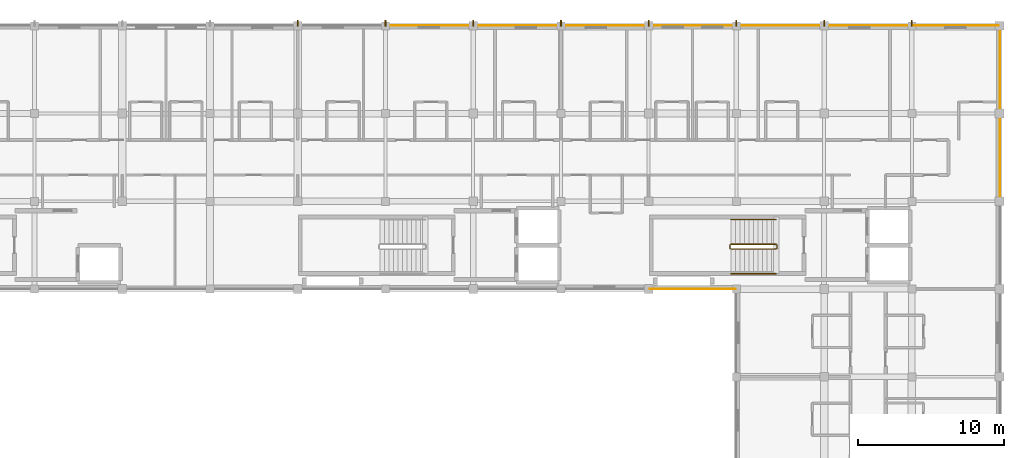
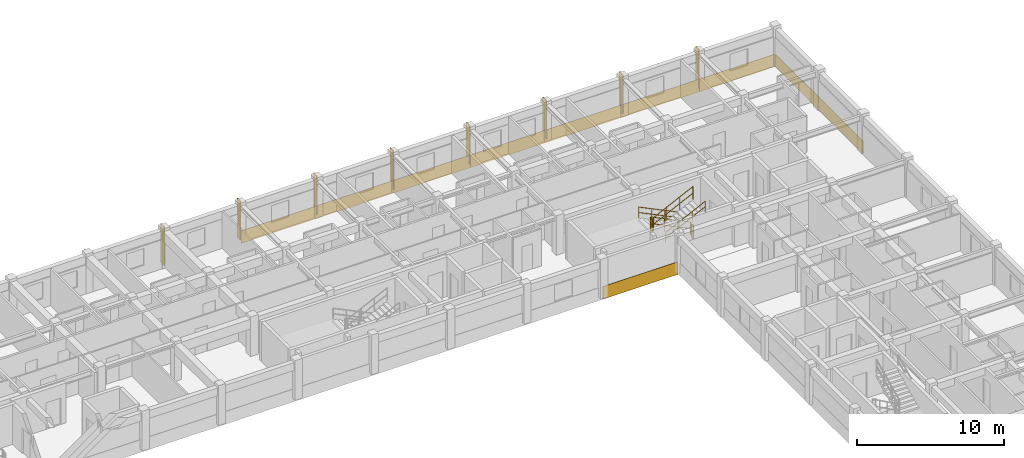
# One storey, part 21 of 21: 8 shading devices, 6 railings, 5 coverings.
"""IFC4 building model written with IfcOpenShell, lengths in metres."""

from ifc_helpers import new_model, si_unit, direction, frame, origin, origin_2d, place, context, subcontext, project, spatial, polyline, rectangle, circle, outline, extrude, material, layer, layer_set, type_object, element, save


model = new_model("IFC4")

# Units and contexts
model_context = context("Model", 3, precision=1e-05, world=origin(), true_north=direction((0.0, 1.0)))
body_context = subcontext(model_context, "Body", "Model", "MODEL_VIEW")
ifc_project = project(units=[si_unit("LENGTHUNIT", "METRE"), si_unit("AREAUNIT", "SQUARE_METRE"), si_unit("VOLUMEUNIT", "CUBIC_METRE"), si_unit("PLANEANGLEUNIT", "RADIAN"), si_unit("MASSUNIT", "GRAM", prefix="KILO"), si_unit("THERMODYNAMICTEMPERATUREUNIT", "KELVIN"), si_unit("POWERUNIT", "WATT")], contexts=[model_context])

# Site, building, storey
site_placement = place(None, origin())
site = spatial("IfcSite", under=ifc_project, at=site_placement, CompositionType="ELEMENT")
building_placement = place(site_placement, origin())
building = spatial("IfcBuilding", under=site, at=building_placement, Name="Phaisarnlok Congress Hotel", CompositionType="ELEMENT")
storey_placement = place(building_placement, frame((0.0, 0.0, 34.800048828125)))
storey = spatial("IfcBuildingStorey", under=building, at=storey_placement, Name="L08", CompositionType="ELEMENT", Elevation=34.800048828125)

# Coverings
ifc_material_1 = material(Name="Anodised Silver Aluminium Alloy 6063-T6", Category="aluminium")
ifc_layer_1 = layer(ifc_material_1, 0.031982421875, Name="Anodised Silver Aluminium Alloy 6063-T6")
ifc_layer_set_1 = layer_set([ifc_layer_1], Name="Anodised Silver Aluminium Alloy 6063-T6")
covering_type = type_object("IfcCoveringType", Name="COV-SPAND-ALU", PredefinedType="CLADDING", material=ifc_layer_set_1)
for number, where, z_axis, x_axis, name in (
    (1, (156.06005859375, 125.9951171875, -0.280029296875), (0.0, 1.0, 0.0), (-1.0, 0.0, 0.0), "Swiss minimalist anodised silver rainscreen band CL-02 (L08 N)"),
    (2, (174.06005859375, 125.9951171875, -0.280029296875), (0.0, 1.0, 0.0), (-1.0, 0.0, 0.0), "Swiss minimalist anodised silver rainscreen band CL-02 (L08 N)"),
):
    element("IfcCovering", number, at=place(storey_placement, frame(where, z_axis=z_axis, x_axis=x_axis)), inside=storey, type_object=covering_type, Name=name, PredefinedType="CLADDING", context=body_context, shape_type="SweptSolid", body=[
        extrude(outline(polyline([(0.0, 0.0), (18.0, 0.0), (18.0, 1.050048828125), (0.0, 1.050048828125), (0.0, 0.0)])), origin(), (0.0, 0.0, 1.0), 0.031982421875),
    ])
covering_1_placement = place(storey_placement, frame((179.93994140625, 125.9951171875, -0.280029296875), z_axis=(0.0, 1.0, 0.0), x_axis=(-1.0, 0.0, 0.0)))
element("IfcCovering", 3, at=covering_1_placement, inside=storey, type_object=covering_type, Name="Swiss minimalist anodised silver rainscreen band CL-02 (L08 N)", PredefinedType="CLADDING", context=body_context, shape_type="SweptSolid", body=[
    extrude(outline(polyline([(0.0, 0.0), (5.8798828125, 0.0), (5.8798828125, 1.050048828125), (0.0, 1.050048828125), (0.0, 0.0)])), origin(), (0.0, 0.0, 1.0), 0.031982421875),
])
covering_2_placement = place(storey_placement, frame((179.9951171875, 114.06005859375, -0.280029296875), z_axis=(1.0, 0.0, 0.0), x_axis=(0.0, 1.0, 0.0)))
element("IfcCovering", 4, at=covering_2_placement, inside=storey, type_object=covering_type, Name="Swiss minimalist anodised silver rainscreen band CL-02 (L08 E)", PredefinedType="CLADDING", context=body_context, shape_type="SweptSolid", body=[
    extrude(outline(polyline([(0.0, 0.0), (11.8798828125, 0.0), (11.8798828125, 1.050048828125), (0.0, 1.050048828125), (0.0, 0.0)])), origin(), (0.0, 0.0, 1.0), 0.031982421875),
])
covering_3_placement = place(storey_placement, frame((156.06005859375, 108.0048828125, -0.280029296875), z_axis=(0.0, -1.0, 0.0), x_axis=(1.0, 0.0, 0.0)))
element("IfcCovering", 5, at=covering_3_placement, inside=storey, type_object=covering_type, Name="Swiss minimalist anodised silver rainscreen band CL-02 (L08 S)", PredefinedType="CLADDING", context=body_context, shape_type="SweptSolid", body=[
    extrude(outline(polyline([(0.0, 0.0), (5.8798828125, 0.0), (5.8798828125, 1.050048828125), (0.0, 1.050048828125), (0.0, 0.0)])), origin(), (0.0, 0.0, 1.0), 0.031982421875),
])

# Railings
ifc_material_2 = material(Name="Painted Galvanised Steel S275", Category="steel")
railing_type_1 = type_object("IfcRailingType", Name="RLG-STR-GUARD", PredefinedType="BALUSTRADE", material=ifc_material_2)
railing_1_placement = place(storey_placement, frame((164.719970703125, 111.070068359375, 0.14990234375)))
element("IfcRailing", 6, at=railing_1_placement, inside=storey, type_object=railing_type_1, Name="L08 ST-05 stair guard 1", PredefinedType="BALUSTRADE", context=body_context, shape_type="SweptSolid", body=[
    extrude(circle(Radius=0.02392578125, at=origin_2d()), frame((0.0, 0.0, 1.076171875), z_axis=(-0.900151181449, 0.0, 0.435577605641), x_axis=(0.0, -1.0, 0.0)), (0.0, 0.0, 1.0), 3.443603515625),
    extrude(circle(Radius=0.02392578125, at=origin_2d()), frame((0.0, 0.0, 0.52587890625), z_axis=(-0.900151181449, 0.0, 0.435577605641), x_axis=(0.0, -1.0, 0.0)), (0.0, 0.0, 1.0), 3.443603515625),
    extrude(circle(Radius=0.02099609375, at=origin_2d()), origin(), (0.0, 0.0, 1.0), 1.052001953125),
    extrude(circle(Radius=0.02099609375, at=origin_2d()), frame((-1.033203125, 0.0, 0.5)), (0.0, 0.0, 1.0), 1.052001953125),
    extrude(circle(Radius=0.02099609375, at=origin_2d()), frame((-2.066650390625, 0.0, 1.0)), (0.0, 0.0, 1.0), 1.052001953125),
    extrude(circle(Radius=0.02099609375, at=origin_2d()), frame((-3.099853515625, 0.0, 1.5)), (0.0, 0.0, 1.0), 1.052001953125),
])
railing_2_placement = place(storey_placement, frame((161.570068359375, 111.02001953125, 1.64990234375)))
element("IfcRailing", 7, at=railing_2_placement, inside=storey, type_object=railing_type_1, Name="L08 ST-05 stair guard 2", PredefinedType="BALUSTRADE", context=body_context, shape_type="SweptSolid", body=[
    extrude(circle(Radius=0.02392578125, at=origin_2d()), frame((0.0, 0.0, 1.076171875), z_axis=(0.0, -1.0, 0.0), x_axis=(1.0, 0.0, 0.0)), (0.0, 0.0, 1.0), 0.239990234375),
    extrude(circle(Radius=0.02392578125, at=origin_2d()), frame((0.0, 0.0, 0.52587890625), z_axis=(0.0, -1.0, 0.0), x_axis=(1.0, 0.0, 0.0)), (0.0, 0.0, 1.0), 0.239990234375),
    extrude(circle(Radius=0.02099609375, at=origin_2d()), origin(), (0.0, 0.0, 1.0), 1.052001953125),
    extrude(circle(Radius=0.02099609375, at=origin_2d()), frame((0.0, -0.239990234375, 0.0)), (0.0, 0.0, 1.0), 1.052001953125),
])
railing_3_placement = place(storey_placement, frame((161.6201171875, 110.72998046875, 1.800048828125)))
element("IfcRailing", 8, at=railing_3_placement, inside=storey, type_object=railing_type_1, Name="L08 ST-05 stair guard 3", PredefinedType="BALUSTRADE", context=body_context, shape_type="SweptSolid", body=[
    extrude(circle(Radius=0.02392578125, at=origin_2d()), frame((0.0, 0.0, 1.076171875), z_axis=(0.900151181449, 0.0, 0.435577605641), x_axis=(0.0, 1.0, 0.0)), (0.0, 0.0, 1.0), 3.443603515625),
    extrude(circle(Radius=0.02392578125, at=origin_2d()), frame((0.0, 0.0, 0.52587890625), z_axis=(0.900151181449, 0.0, 0.435577605641), x_axis=(0.0, 1.0, 0.0)), (0.0, 0.0, 1.0), 3.443603515625),
    extrude(circle(Radius=0.02099609375, at=origin_2d()), origin(), (0.0, 0.0, 1.0), 1.052001953125),
    extrude(circle(Radius=0.02099609375, at=origin_2d()), frame((1.033203125, 0.0, 0.5)), (0.0, 0.0, 1.0), 1.052001953125),
    extrude(circle(Radius=0.02099609375, at=origin_2d()), frame((2.066650390625, 0.0, 1.0)), (0.0, 0.0, 1.0), 1.052001953125),
    extrude(circle(Radius=0.02099609375, at=origin_2d()), frame((3.099853515625, 0.0, 1.5)), (0.0, 0.0, 1.0), 1.052001953125),
])
railing_4_placement = place(storey_placement, frame((164.77001953125, 111.02001953125, 0.0)))
element("IfcRailing", 9, at=railing_4_placement, inside=storey, type_object=railing_type_1, Name="L08 ST-05 stair guard 4", PredefinedType="BALUSTRADE", context=body_context, shape_type="SweptSolid", body=[
    extrude(circle(Radius=0.02392578125, at=origin_2d()), frame((0.0, 0.0, 1.076171875), z_axis=(0.0, -1.0, 0.0), x_axis=(1.0, 0.0, 0.0)), (0.0, 0.0, 1.0), 0.239990234375),
    extrude(circle(Radius=0.02392578125, at=origin_2d()), frame((0.0, 0.0, 0.52587890625), z_axis=(0.0, -1.0, 0.0), x_axis=(1.0, 0.0, 0.0)), (0.0, 0.0, 1.0), 0.239990234375),
    extrude(circle(Radius=0.02099609375, at=origin_2d()), origin(), (0.0, 0.0, 1.0), 1.052001953125),
    extrude(circle(Radius=0.02099609375, at=origin_2d()), frame((0.0, -0.239990234375, 0.0)), (0.0, 0.0, 1.0), 1.052001953125),
])
ifc_material_3 = material(Name="Brushed Stainless Steel Grade 304", Category="steel")
railing_type_2 = type_object("IfcRailingType", Name="RLG-STR-HRAIL", PredefinedType="HANDRAIL", material=ifc_material_3)
railing_5_placement = place(storey_placement, frame((164.719970703125, 112.75, 0.14990234375)))
element("IfcRailing", 10, at=railing_5_placement, inside=storey, type_object=railing_type_2, Name="L08 ST-05 stair handrail 1", PredefinedType="HANDRAIL", context=body_context, shape_type="SweptSolid", body=[
    extrude(circle(Radius=0.02392578125, at=origin_2d()), frame((0.0, 0.0, 0.8759765625), z_axis=(-0.900151181449, 0.0, 0.435577605641), x_axis=(0.0, -1.0, 0.0)), (0.0, 0.0, 1.0), 3.443603515625),
    extrude(circle(Radius=0.02392578125, at=origin_2d()), frame((0.0, 0.0, 0.42578125), z_axis=(-0.900151181449, 0.0, 0.435577605641), x_axis=(0.0, -1.0, 0.0)), (0.0, 0.0, 1.0), 3.443603515625),
    extrude(circle(Radius=0.02099609375, at=origin_2d()), origin(), (0.0, 0.0, 1.0), 0.851806640625),
    extrude(circle(Radius=0.02099609375, at=origin_2d()), frame((-1.033203125, 0.0, 0.5)), (0.0, 0.0, 1.0), 0.851806640625),
    extrude(circle(Radius=0.02099609375, at=origin_2d()), frame((-2.066650390625, 0.0, 1.0)), (0.0, 0.0, 1.0), 0.851806640625),
    extrude(circle(Radius=0.02099609375, at=origin_2d()), frame((-3.099853515625, 0.0, 1.5)), (0.0, 0.0, 1.0), 0.851806640625),
])
railing_6_placement = place(storey_placement, frame((161.6201171875, 109.050048828125, 1.800048828125)))
element("IfcRailing", 11, at=railing_6_placement, inside=storey, type_object=railing_type_2, Name="L08 ST-05 stair handrail 2", PredefinedType="HANDRAIL", context=body_context, shape_type="SweptSolid", body=[
    extrude(circle(Radius=0.02392578125, at=origin_2d()), frame((0.0, 0.0, 0.8759765625), z_axis=(0.900151181449, 0.0, 0.435577605641), x_axis=(0.0, 1.0, 0.0)), (0.0, 0.0, 1.0), 3.443603515625),
    extrude(circle(Radius=0.02392578125, at=origin_2d()), frame((0.0, 0.0, 0.42578125), z_axis=(0.900151181449, 0.0, 0.435577605641), x_axis=(0.0, 1.0, 0.0)), (0.0, 0.0, 1.0), 3.443603515625),
    extrude(circle(Radius=0.02099609375, at=origin_2d()), origin(), (0.0, 0.0, 1.0), 0.851806640625),
    extrude(circle(Radius=0.02099609375, at=origin_2d()), frame((1.033203125, 0.0, 0.5)), (0.0, 0.0, 1.0), 0.851806640625),
    extrude(circle(Radius=0.02099609375, at=origin_2d()), frame((2.066650390625, 0.0, 1.0)), (0.0, 0.0, 1.0), 0.851806640625),
    extrude(circle(Radius=0.02099609375, at=origin_2d()), frame((3.099853515625, 0.0, 1.5)), (0.0, 0.0, 1.0), 0.851806640625),
])

# Shading devices
ifc_material_4 = material(Name="Anodised Champagne Aluminium Alloy 6063", Category="aluminium")
ifc_layer_2 = layer(ifc_material_4, 0.050048828125, Name="Anodised Champagne Aluminium Alloy 6063")
ifc_layer_set_2 = layer_set([ifc_layer_2], Name="Anodised Champagne Aluminium Alloy 6063")
shading_device_type = type_object("IfcShadingDeviceType", Name="SHD-FIN-VERT", PredefinedType="SHUTTER", material=ifc_layer_set_2)
for number, where, z_axis, x_axis, name in (
    (12, (132.0, 126.179931640625, 0.0400390625), (0.0, 0.0, 1.0), (1.0, 0.0, 0.0), "Hotel vertical solar fin SF-01 (L08)"),
    (13, (138.0, 126.179931640625, 0.0400390625), (0.0, 0.0, 1.0), (1.0, 0.0, 0.0), "Hotel vertical solar fin SF-01 (L08)"),
    (14, (144.0, 126.179931640625, 0.0400390625), (0.0, 0.0, 1.0), (1.0, 0.0, 0.0), "Hotel vertical solar fin SF-01 (L08)"),
    (15, (150.0, 126.179931640625, 0.0400390625), (0.0, 0.0, 1.0), (1.0, 0.0, 0.0), "Hotel vertical solar fin SF-01 (L08)"),
    (16, (156.0, 126.179931640625, 0.0400390625), (0.0, 0.0, 1.0), (1.0, 0.0, 0.0), "Hotel vertical solar fin SF-01 (L08)"),
    (17, (162.0, 126.179931640625, 0.0400390625), (0.0, 0.0, 1.0), (1.0, 0.0, 0.0), "Hotel vertical solar fin SF-01 (L08)"),
    (18, (168.0, 126.179931640625, 0.0400390625), (0.0, 0.0, 1.0), (1.0, 0.0, 0.0), "Hotel vertical solar fin SF-01 (L08)"),
    (19, (174.0, 126.179931640625, 0.0400390625), (0.0, 0.0, 1.0), (1.0, 0.0, 0.0), "Hotel vertical solar fin SF-01 (L08)"),
):
    element("IfcShadingDevice", number, at=place(storey_placement, frame(where, z_axis=z_axis, x_axis=x_axis)), inside=storey, type_object=shading_device_type, Name=name, PredefinedType="SHUTTER", context=body_context, shape_type="SweptSolid", body=[
        extrude(rectangle(XDim=0.080078125, YDim=0.43994140625, at=origin_2d()), origin(), (0.0, 0.0, 1.0), 3.219970703125),
    ])

save(model, "model.ifc")
